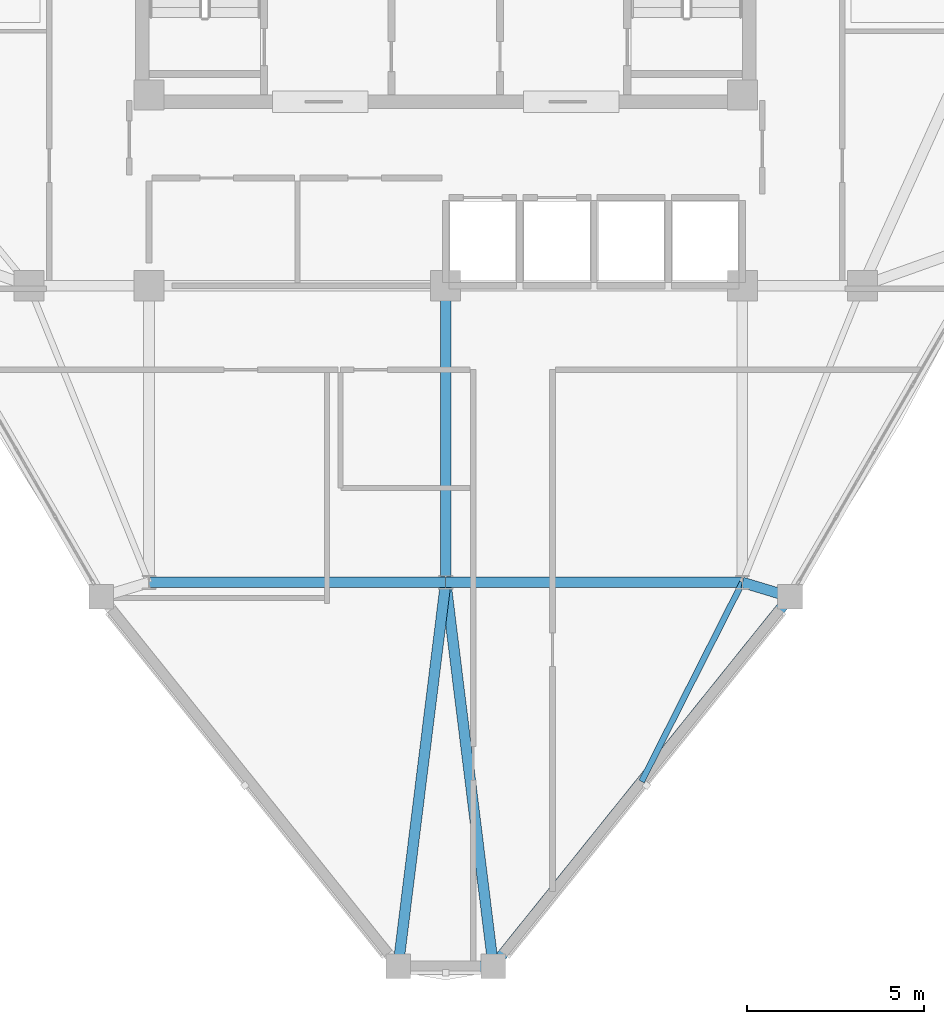
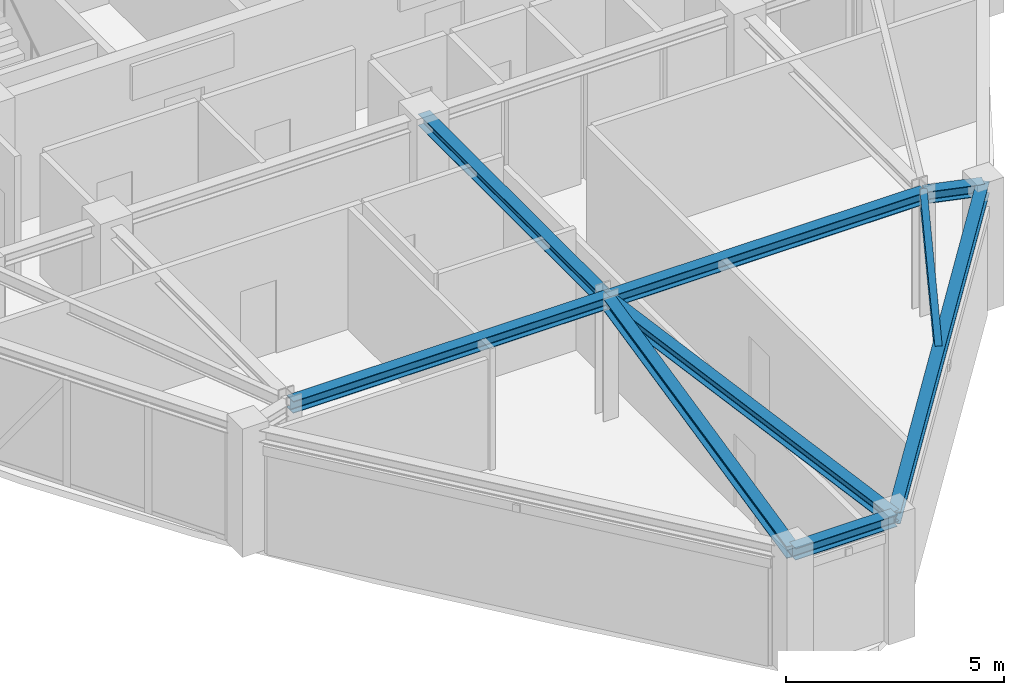
# One storey, part 3 of 15: 9 beams.
"""IFC4 building model written with IfcOpenShell, lengths in metres."""

from ifc_helpers import new_model, si_unit, derived_unit, direction, frame, origin, origin_2d, place, context, subcontext, project, spatial, i_section, extrude, source, transform, mapped, material, material_profile, profile_set, type_object, element, save


model = new_model("IFC4")

# Units and contexts
model_context = context("Model", 3, precision=1e-05, world=origin(), true_north=direction((0.0, 1.0)))
body_context = subcontext(model_context, "Body", "Model", "MODEL_VIEW")
ifc_project = project(units=[si_unit("LENGTHUNIT", "METRE"), si_unit("AREAUNIT", "SQUARE_METRE"), si_unit("VOLUMEUNIT", "CUBIC_METRE"), si_unit("PLANEANGLEUNIT", "RADIAN"), si_unit("MASSUNIT", "GRAM", prefix="KILO"), derived_unit("THERMALTRANSMITTANCEUNIT", [(si_unit("POWERUNIT", "WATT"), 1), (si_unit("LENGTHUNIT", "METRE"), -2), (si_unit("THERMODYNAMICTEMPERATUREUNIT", "KELVIN"), -1)])], contexts=[model_context])

# Site, building, storey
site_placement = place(None, origin())
site = spatial("IfcSite", under=ifc_project, at=site_placement, CompositionType="ELEMENT")
building_placement = place(site_placement, origin())
building = spatial("IfcBuilding", under=site, at=building_placement, Name="Korsvarv Bourse and Concert Hall", CompositionType="ELEMENT")
storey_placement = place(building_placement, frame((0.0, 0.0, 264.60009765625)))
storey = spatial("IfcBuildingStorey", under=building, at=storey_placement, Name="L69", CompositionType="ELEMENT", Elevation=264.60009765625)

# Beams
ifc_material = material(Name="Steel S355", Category="steel")
ifc_material_profile_1 = material_profile(ifc_material, i_section(OverallWidth=0.300048828125, OverallDepth=0.330078125, WebThickness=0.009521484375, FlangeThickness=0.0166015625, FilletRadius=0.02099609375, at=origin_2d()), Name="HEA 340")
ifc_profile_set_1 = profile_set([ifc_material_profile_1], Name="Steel S355")
beam_type_1 = type_object("IfcBeamType", Name="BM-HEA340", PredefinedType="BEAM", material=ifc_profile_set_1)
shared_shape_1 = source(origin(), body_context, "Body", "SweptSolid", [
    extrude(i_section(OverallWidth=0.300048828125, OverallDepth=0.330078125, WebThickness=0.009521484375, FlangeThickness=0.0166015625, FilletRadius=0.02099609375, at=origin_2d()), origin(), (0.0, 0.0, 1.0), 8.39990234375),
])
for number, where, z_axis, x_axis, name in (
    (1, (27.60009765625, 24.0, 3.244873046875), (1.0, 0.0, 0.0), (0.0, 1.0, 0.0), "L69 beam B-12"),
    (2, (36.0, 24.0, 3.244873046875), (1.0, 0.0, 0.0), (0.0, 1.0, 0.0), "L69 beam B-12"),
    (3, (36.0, 24.0, 3.244873046875), (0.0, 1.0, 0.0), (-1.0, 0.0, 0.0), "L69 beam B-12"),
):
    element("IfcBeam", number, at=place(storey_placement, frame(where, z_axis=z_axis, x_axis=x_axis)), inside=storey, type_object=beam_type_1, Name=name, PredefinedType="BEAM", context=body_context, shape_type="MappedRepresentation", body=[
        mapped(shared_shape_1, transform((0.0, 0.0, 0.0), scale=1.0)),
    ])
shared_shape_2 = source(origin(), body_context, "Body", "SweptSolid", [
    extrude(i_section(OverallWidth=0.300048828125, OverallDepth=0.330078125, WebThickness=0.009521484375, FlangeThickness=0.0166015625, FilletRadius=0.02099609375, at=origin_2d()), origin(), (0.0, 0.0, 1.0), 2.6923828125),
])
beam_1_placement = place(storey_placement, frame((34.65380859375, 13.135498046875, 3.244873046875), z_axis=(1.0, 0.0, 0.0), x_axis=(0.0, 1.0, 0.0)))
element("IfcBeam", 4, at=beam_1_placement, inside=storey, type_object=beam_type_1, Name="L69 beam B-12", PredefinedType="BEAM", context=body_context, shape_type="MappedRepresentation", body=[
    mapped(shared_shape_2, transform((0.0, 0.0, 0.0), scale=1.0)),
])
shared_shape_3 = source(origin(), body_context, "Body", "SweptSolid", [
    extrude(i_section(OverallWidth=0.300048828125, OverallDepth=0.330078125, WebThickness=0.009521484375, FlangeThickness=0.0166015625, FilletRadius=0.02099609375, at=origin_2d()), origin(), (0.0, 0.0, 1.0), 13.416015625),
])
beam_2_placement = place(storey_placement, frame((37.34619140625, 13.135498046875, 3.244873046875), z_axis=(0.626382420215, 0.779515916223, 0.0), x_axis=(-0.779515916223, 0.626382420215, 0.0)))
element("IfcBeam", 5, at=beam_2_placement, inside=storey, type_object=beam_type_1, Name="L69 beam B-12", PredefinedType="BEAM", context=body_context, shape_type="MappedRepresentation", body=[
    mapped(shared_shape_3, transform((0.0, 0.0, 0.0), scale=1.0)),
])
shared_shape_4 = source(origin(), body_context, "Body", "SweptSolid", [
    extrude(i_section(OverallWidth=0.300048828125, OverallDepth=0.330078125, WebThickness=0.009521484375, FlangeThickness=0.0166015625, FilletRadius=0.02099609375, at=origin_2d()), origin(), (0.0, 0.0, 1.0), 1.40966796875),
])
beam_3_placement = place(storey_placement, frame((45.749755859375, 23.593505859375, 3.244873046875), z_axis=(-0.957525473457, 0.288348691139, 0.0), x_axis=(-0.288348691139, -0.957525473457, 0.0)))
element("IfcBeam", 6, at=beam_3_placement, inside=storey, type_object=beam_type_1, Name="L69 beam B-12", PredefinedType="BEAM", context=body_context, shape_type="MappedRepresentation", body=[
    mapped(shared_shape_4, transform((0.0, 0.0, 0.0), scale=1.0)),
])
shared_shape_5 = source(origin(), body_context, "Body", "SweptSolid", [
    extrude(i_section(OverallWidth=0.300048828125, OverallDepth=0.330078125, WebThickness=0.009521484375, FlangeThickness=0.0166015625, FilletRadius=0.02099609375, at=origin_2d()), origin(), (0.0, 0.0, 1.0), 10.947509765625),
])
for number, where, z_axis, x_axis, name in (
    (7, (34.65380859375, 13.135498046875, 3.244873046875), (0.122966966019, 0.992410764385, 0.0), (-0.992410764385, 0.122966966019, 0.0), "L69 beam B-12"),
    (8, (37.34619140625, 13.135498046875, 3.244873046875), (-0.122966966019, 0.992410764385, 0.0), (-0.992410764385, -0.122966966019, 0.0), "L69 beam B-12"),
):
    element("IfcBeam", number, at=place(storey_placement, frame(where, z_axis=z_axis, x_axis=x_axis)), inside=storey, type_object=beam_type_1, Name=name, PredefinedType="BEAM", context=body_context, shape_type="MappedRepresentation", body=[
        mapped(shared_shape_5, transform((0.0, 0.0, 0.0), scale=1.0)),
    ])
ifc_material_profile_2 = material_profile(ifc_material, i_section(OverallWidth=0.169921875, OverallDepth=0.360107421875, WebThickness=0.008056640625, FlangeThickness=0.0126953125, FilletRadius=0.01806640625, at=origin_2d()), Name="IPE 360")
ifc_profile_set_2 = profile_set([ifc_material_profile_2], Name="Steel S355")
beam_type_2 = type_object("IfcBeamType", Name="BM-IPE360", PredefinedType="JOIST", material=ifc_profile_set_2)
shared_shape_6 = source(origin(), body_context, "Body", "SweptSolid", [
    extrude(i_section(OverallWidth=0.169921875, OverallDepth=0.360107421875, WebThickness=0.008056640625, FlangeThickness=0.0126953125, FilletRadius=0.01806640625, at=origin_2d()), origin(), (0.0, 0.0, 1.0), 6.31591796875),
])
beam_4_placement = place(storey_placement, frame((41.548095703125, 18.364501953125, 3.22998046875), z_axis=(0.451522226817, 0.892259871725, 0.0), x_axis=(-0.892259871725, 0.451522226817, 0.0)))
element("IfcBeam", 9, at=beam_4_placement, inside=storey, type_object=beam_type_2, Name="L69 beam J-06", PredefinedType="JOIST", context=body_context, shape_type="MappedRepresentation", body=[
    mapped(shared_shape_6, transform((0.0, 0.0, 0.0), scale=1.0)),
])

save(model, "model.ifc")
